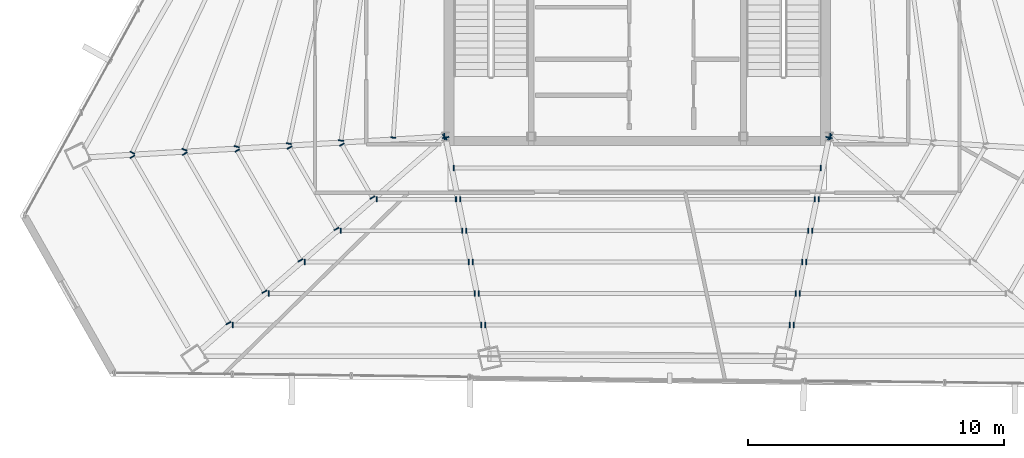
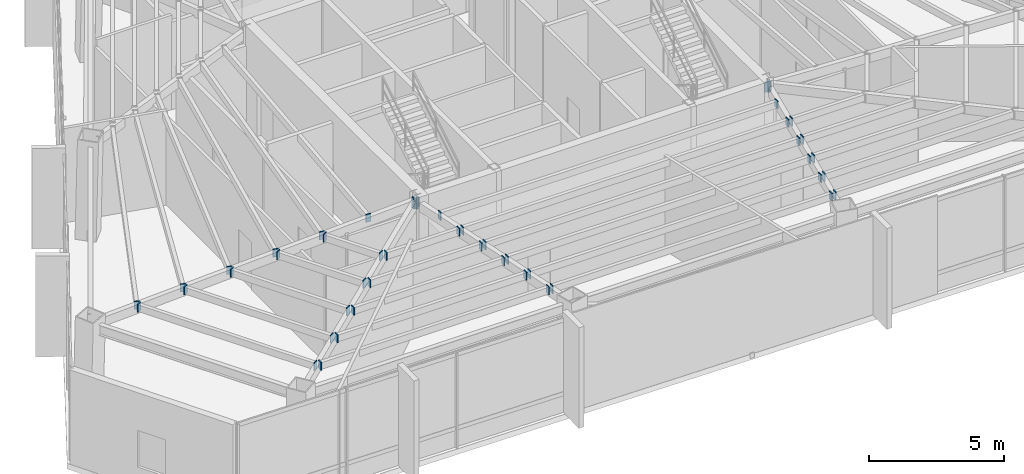
# One storey, part 29 of 37: 49 plates.
"""IFC4 building model written with IfcOpenShell, lengths in metres."""

from ifc_helpers import new_model, si_unit, direction, frame, origin, origin_2d, place, context, subcontext, project, spatial, rectangle, extrude, source, transform, mapped, material, layer, layer_set, type_object, type_shapes, element, save


model = new_model("IFC4")

# Units and contexts
model_context = context("Model", 3, precision=1e-05, world=origin(), true_north=direction((0.0, 1.0)))
body_context = subcontext(model_context, "Body", "Model", "MODEL_VIEW")
ifc_project = project(units=[si_unit("LENGTHUNIT", "METRE"), si_unit("AREAUNIT", "SQUARE_METRE"), si_unit("VOLUMEUNIT", "CUBIC_METRE"), si_unit("PLANEANGLEUNIT", "RADIAN"), si_unit("MASSUNIT", "GRAM", prefix="KILO")], contexts=[model_context])

# Site, building, storey
site_placement = place(None, origin())
site = spatial("IfcSite", under=ifc_project, at=site_placement, CompositionType="ELEMENT")
building_placement = place(site_placement, origin())
building = spatial("IfcBuilding", under=site, at=building_placement, Name="Caelisora Broadcast Tower", CompositionType="ELEMENT")
storey_placement = place(building_placement, frame((0.0, 0.0, 225.35009765625)))
storey = spatial("IfcBuildingStorey", under=building, at=storey_placement, Name="L59", CompositionType="ELEMENT", Elevation=225.35009765625)

# Plates
ifc_material = material(Name="Steel Grade 350 L15 (AS/NZS 3678)", Category="steel")
ifc_layer = layer(ifc_material, 0.0400390625, Name="Steel Grade 350 L15 (AS/NZS 3678)")
ifc_layer_set = layer_set([ifc_layer], Name="Steel Grade 350 L15 (AS/NZS 3678)")
plate_type = type_object("IfcPlateType", Name="GP04", PredefinedType="USERDEFINED", material=ifc_layer_set)
shared_shape_1 = source(origin(), body_context, "Body", "SweptSolid", [
    extrude(rectangle(XDim=0.260009765625, YDim=0.0400390625, at=origin_2d()), origin(), (0.0, 0.0, 1.0), 0.4599609375),
])
for number, where, z_axis, x_axis, name in (
    (1, (30.460205078125, 17.397705078125, 3.81982421875), (0.0, 0.0, 1.0), (0.058086749598, -0.998311539311, 0.0), "L59 gusset plate GP04 (ND-RAD-L59-05)"),
    (2, (30.469970703125, 17.373779296875, 3.81982421875), (0.0, 0.0, 1.0), (0.657243714159, -0.753678114448, 0.0), "L59 gusset plate GP04 (ND-RAD-L59-06)"),
    (3, (30.5078125, 17.36083984375, 3.81982421875), (0.0, 0.0, 1.0), (0.98068299691, 0.195603833222, 0.0), "L59 gusset plate GP04 (ND-RAD-L59-07)"),
    (4, (45.4921875, 17.36083984375, 3.81982421875), (0.0, 0.0, 1.0), (0.98068299691, -0.195603833222, 0.0), "L59 gusset plate GP04 (ND-RAD-L59-08)"),
    (5, (45.530029296875, 17.373779296875, 3.81982421875), (0.0, 0.0, 1.0), (0.657243714159, 0.753678114448, 0.0), "L59 gusset plate GP04 (ND-RAD-L59-09)"),
    (6, (45.539794921875, 17.397705078125, 3.81982421875), (0.0, 0.0, 1.0), (0.058086749598, 0.998311539311, 0.0), "L59 gusset plate GP04 (ND-RAD-L59-10)"),
):
    element("IfcPlate", number, at=place(storey_placement, frame(where, z_axis=z_axis, x_axis=x_axis)), inside=storey, type_object=plate_type, Name=name, ObjectType="GUSSET PLATE", PredefinedType="USERDEFINED", context=body_context, shape_type="MappedRepresentation", body=[
        mapped(shared_shape_1, transform((0.0, 0.0, 0.0), scale=1.0)),
    ])
shared_shape_2 = source(origin(), body_context, "Body", "SweptSolid", [
    extrude(rectangle(XDim=0.2099609375, YDim=0.0400390625, at=origin_2d()), origin(), (0.0, 0.0, 1.0), 0.360107421875),
])
type_shapes(plate_type, [shared_shape_1, shared_shape_2])
for number, where, z_axis, x_axis, name in (
    (7, (28.457275390625, 17.3583984375, 3.919921875), (0.0, 0.0, 1.0), (0.997719754796, -0.067492895099, 0.0), "L59 gusset plate GP04 (ND-SB-L59-017B)"),
    (8, (26.414794921875, 17.239990234375, 3.919921875), (0.0, 0.0, 1.0), (0.990437361669, -0.137963156715, 0.0), "L59 gusset plate GP04 (ND-SB-L59-018B)"),
    (9, (24.372802734375, 17.12158203125, 3.919921875), (0.0, 0.0, 1.0), (0.977526409704, -0.210812993745, 0.0), "L59 gusset plate GP04 (ND-SB-L59-019B)"),
    (10, (22.331298828125, 17.00341796875, 3.919921875), (0.0, 0.0, 1.0), (0.958571519664, -0.284851964518, 0.0), "L59 gusset plate GP04 (ND-SB-L59-020B)"),
    (11, (20.290771484375, 16.88525390625, 3.919921875), (0.0, 0.0, 1.0), (0.933517865272, -0.358530884609, 0.0), "L59 gusset plate GP04 (ND-SB-L59-021B)"),
    (12, (18.2509765625, 16.767333984375, 3.919921875), (0.0, 0.0, 1.0), (0.902434952642, -0.430826132274, 0.0), "L59 gusset plate GP04 (ND-SB-L59-022B)"),
    (13, (26.4482421875, 17.084716796875, 3.919921875), (0.0, 0.0, 1.0), (0.866025403784, 0.5, 0.0), "L59 gusset plate GP04 (ND-SB-L59-023A)"),
    (14, (27.64453125, 15.012939453125, 3.919921875), (0.0, 0.0, 1.0), (0.866025403784, 0.5, 0.0), "L59 gusset plate GP04 (ND-SB-L59-023B)"),
    (15, (24.400146484375, 16.965576171875, 3.919921875), (0.0, 0.0, 1.0), (0.866025403784, 0.5, 0.0), "L59 gusset plate GP04 (ND-SB-L59-024A)"),
    (16, (26.236328125, 13.78515625, 3.919921875), (0.0, 0.0, 1.0), (0.866025403784, 0.5, 0.0), "L59 gusset plate GP04 (ND-SB-L59-024B)"),
    (17, (22.352294921875, 16.846435546875, 3.919921875), (0.0, 0.0, 1.0), (0.866025403784, 0.5, 0.0), "L59 gusset plate GP04 (ND-SB-L59-025A)"),
    (18, (24.828369140625, 12.5576171875, 3.919921875), (0.0, 0.0, 1.0), (0.866025403784, 0.5, 0.0), "L59 gusset plate GP04 (ND-SB-L59-025B)"),
    (19, (20.30419921875, 16.727294921875, 3.919921875), (0.0, 0.0, 1.0), (0.866025403784, 0.5, 0.0), "L59 gusset plate GP04 (ND-SB-L59-026A)"),
    (20, (23.42041015625, 11.329833984375, 3.919921875), (0.0, 0.0, 1.0), (0.866025403784, 0.5, 0.0), "L59 gusset plate GP04 (ND-SB-L59-026B)"),
    (21, (18.256103515625, 16.608154296875, 3.919921875), (0.0, 0.0, 1.0), (0.866025403784, 0.5, 0.0), "L59 gusset plate GP04 (ND-SB-L59-027A)"),
    (22, (22.01220703125, 10.10205078125, 3.919921875), (0.0, 0.0, 1.0), (0.866025403784, 0.5, 0.0), "L59 gusset plate GP04 (ND-SB-L59-027B)"),
    (23, (27.81298828125, 14.944580078125, 3.919921875), (0.0, 0.0, 1.0), (0.0, 1.0, 0.0), "L59 gusset plate GP04 (ND-SB-L59-028A)"),
    (24, (30.910888671875, 14.944580078125, 3.919921875), (0.0, 0.0, 1.0), (0.0, 1.0, 0.0), "L59 gusset plate GP04 (ND-SB-L59-028B)"),
    (25, (26.405029296875, 13.716796875, 3.919921875), (0.0, 0.0, 1.0), (0.0, 1.0, 0.0), "L59 gusset plate GP04 (ND-SB-L59-029A)"),
    (26, (31.15576171875, 13.716796875, 3.919921875), (0.0, 0.0, 1.0), (0.0, 1.0, 0.0), "L59 gusset plate GP04 (ND-SB-L59-029B)"),
    (27, (24.9970703125, 12.489013671875, 3.919921875), (0.0, 0.0, 1.0), (0.0, 1.0, 0.0), "L59 gusset plate GP04 (ND-SB-L59-030A)"),
    (28, (31.40087890625, 12.489013671875, 3.919921875), (0.0, 0.0, 1.0), (0.0, 1.0, 0.0), "L59 gusset plate GP04 (ND-SB-L59-030B)"),
    (29, (23.589111328125, 11.261474609375, 3.919921875), (0.0, 0.0, 1.0), (0.0, 1.0, 0.0), "L59 gusset plate GP04 (ND-SB-L59-031A)"),
    (30, (31.645751953125, 11.261474609375, 3.919921875), (0.0, 0.0, 1.0), (0.0, 1.0, 0.0), "L59 gusset plate GP04 (ND-SB-L59-031B)"),
    (31, (22.180908203125, 10.03369140625, 3.919921875), (0.0, 0.0, 1.0), (0.0, 1.0, 0.0), "L59 gusset plate GP04 (ND-SB-L59-032A)"),
    (32, (31.890625, 10.03369140625, 3.919921875), (0.0, 0.0, 1.0), (0.0, 1.0, 0.0), "L59 gusset plate GP04 (ND-SB-L59-032B)"),
    (33, (30.823974609375, 16.17236328125, 3.919921875), (0.0, 0.0, 1.0), (0.0, 1.0, 0.0), "L59 gusset plate GP04 (ND-SB-L59-033A)"),
    (34, (45.176025390625, 16.17236328125, 3.919921875), (0.0, 0.0, 1.0), (0.0, 1.0, 0.0), "L59 gusset plate GP04 (ND-SB-L59-033B)"),
    (35, (31.06884765625, 14.944580078125, 3.919921875), (0.0, 0.0, 1.0), (0.0, 1.0, 0.0), "L59 gusset plate GP04 (ND-SB-L59-034A)"),
    (36, (44.93115234375, 14.944580078125, 3.919921875), (0.0, 0.0, 1.0), (0.0, 1.0, 0.0), "L59 gusset plate GP04 (ND-SB-L59-034B)"),
    (37, (31.313720703125, 13.716796875, 3.919921875), (0.0, 0.0, 1.0), (0.0, 1.0, 0.0), "L59 gusset plate GP04 (ND-SB-L59-035A)"),
    (38, (44.686279296875, 13.716796875, 3.919921875), (0.0, 0.0, 1.0), (0.0, 1.0, 0.0), "L59 gusset plate GP04 (ND-SB-L59-035B)"),
    (39, (31.558837890625, 12.489013671875, 3.919921875), (0.0, 0.0, 1.0), (0.0, 1.0, 0.0), "L59 gusset plate GP04 (ND-SB-L59-036A)"),
    (40, (44.441162109375, 12.489013671875, 3.919921875), (0.0, 0.0, 1.0), (0.0, 1.0, 0.0), "L59 gusset plate GP04 (ND-SB-L59-036B)"),
    (41, (31.8037109375, 11.261474609375, 3.919921875), (0.0, 0.0, 1.0), (0.0, 1.0, 0.0), "L59 gusset plate GP04 (ND-SB-L59-037A)"),
    (42, (44.1962890625, 11.261474609375, 3.919921875), (0.0, 0.0, 1.0), (0.0, 1.0, 0.0), "L59 gusset plate GP04 (ND-SB-L59-037B)"),
    (43, (32.048583984375, 10.03369140625, 3.919921875), (0.0, 0.0, 1.0), (0.0, 1.0, 0.0), "L59 gusset plate GP04 (ND-SB-L59-038A)"),
    (44, (43.951416015625, 10.03369140625, 3.919921875), (0.0, 0.0, 1.0), (0.0, 1.0, 0.0), "L59 gusset plate GP04 (ND-SB-L59-038B)"),
    (45, (45.089111328125, 14.944580078125, 3.919921875), (0.0, 0.0, 1.0), (0.0, 1.0, 0.0), "L59 gusset plate GP04 (ND-SB-L59-039A)"),
    (46, (44.84423828125, 13.716796875, 3.919921875), (0.0, 0.0, 1.0), (0.0, 1.0, 0.0), "L59 gusset plate GP04 (ND-SB-L59-040A)"),
    (47, (44.59912109375, 12.489013671875, 3.919921875), (0.0, 0.0, 1.0), (0.0, 1.0, 0.0), "L59 gusset plate GP04 (ND-SB-L59-041A)"),
    (48, (44.354248046875, 11.261474609375, 3.919921875), (0.0, 0.0, 1.0), (0.0, 1.0, 0.0), "L59 gusset plate GP04 (ND-SB-L59-042A)"),
    (49, (44.109375, 10.03369140625, 3.919921875), (0.0, 0.0, 1.0), (0.0, 1.0, 0.0), "L59 gusset plate GP04 (ND-SB-L59-043A)"),
):
    element("IfcPlate", number, at=place(storey_placement, frame(where, z_axis=z_axis, x_axis=x_axis)), inside=storey, type_object=plate_type, Name=name, ObjectType="GUSSET PLATE", PredefinedType="USERDEFINED", context=body_context, shape_type="MappedRepresentation", body=[
        mapped(shared_shape_2, transform((0.0, 0.0, 0.0), scale=1.0)),
    ])

save(model, "model.ifc")
